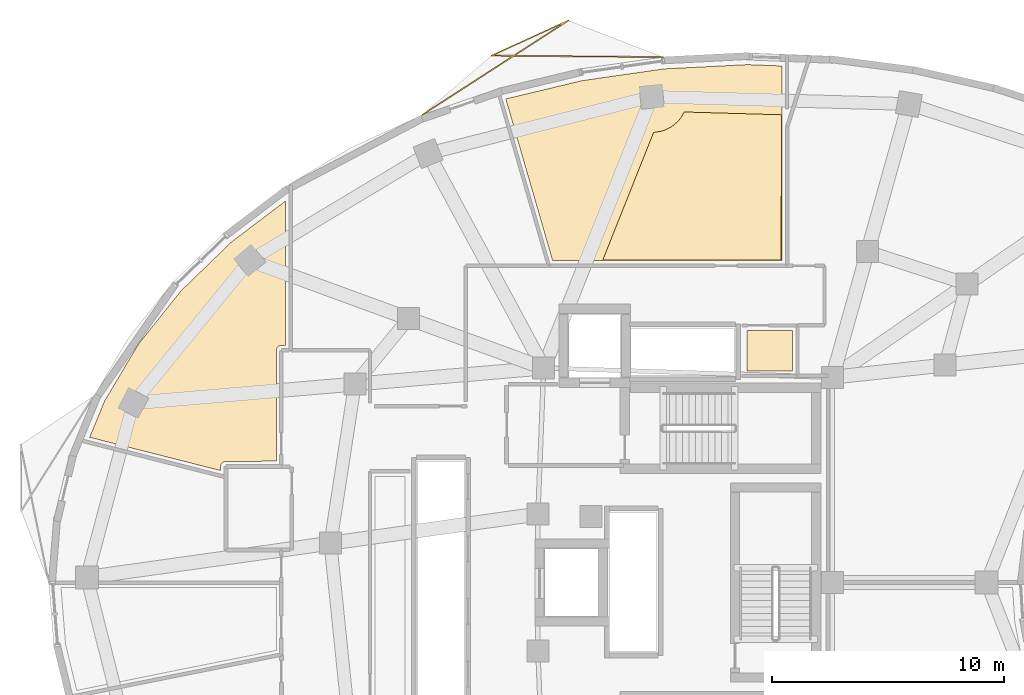
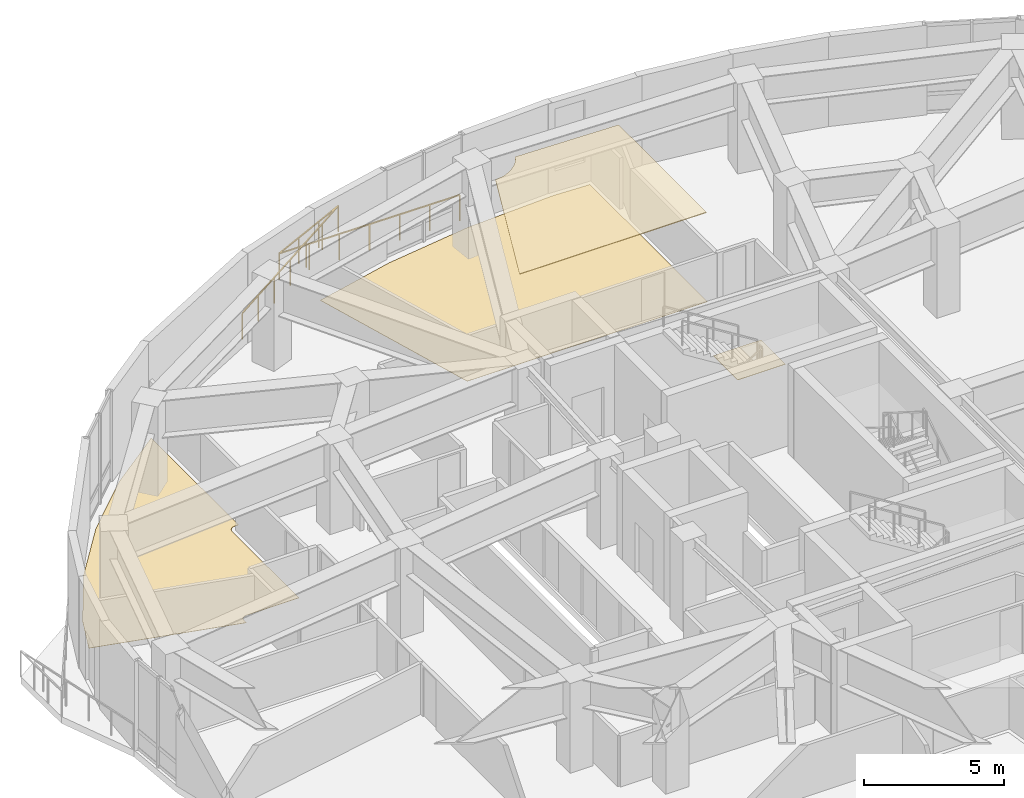
# One storey, part 14 of 14: 4 coverings, 1 railing.
"""IFC4 building model written with IfcOpenShell, lengths in metres."""

import ifcopenshell
import ifcopenshell.guid

model = None  # the IFC model being written
_history = None  # IfcOwnerHistory: only IFC2X3 demands one
_inside = {}  # id of a spatial element -> (the spatial element, [elements in it])
_under = {}  # id of a project, library or spatial element -> (it, [spatial elements below it])
_declared = {}  # id of a project -> (the project, [libraries it declares])
_typed = {}  # id of a type object -> (the type object, [elements of that type])
_made_of = {}  # id of a material, layer set ... -> (it, [elements and type objects made of it])


def new_model(schema):
    """Start an empty IFC model of exactly this schema.

    Asked for "IFC4X3", IfcOpenShell would pick the latest addendum, in which some entities
    have other attributes; the version numbers below select the first issue.
    IFC2X3 requires an IfcOwnerHistory on every rooted entity: one is made here for all.
    """
    global model, _history
    if schema == "IFC4X3":
        model = ifcopenshell.file(schema_version=(4, 3, 0, 0))
    else:
        model = ifcopenshell.file(schema=schema)
    _inside.clear()
    _under.clear()
    _declared.clear()
    _typed.clear()
    _made_of.clear()
    _history = None
    if model.schema == "IFC2X3":
        org = make("IfcOrganization", Name="unknown")
        user = make(
            "IfcPersonAndOrganization",
            ThePerson=make("IfcPerson", FamilyName="unknown"),
            TheOrganization=org,
        )
        app = make(
            "IfcApplication",
            ApplicationDeveloper=org,
            Version="unknown",
            ApplicationFullName="unknown",
            ApplicationIdentifier="unknown",
        )
        _history = make(
            "IfcOwnerHistory",
            OwningUser=user,
            OwningApplication=app,
            ChangeAction="ADDED",
            CreationDate=0,
        )
    return model


def make(cls, **values):
    """One entity of the class cls with the attributes given. An attribute that is None is left unset."""
    return model.create_entity(
        cls, **{name: value for name, value in values.items() if value is not None}
    )


def rooted(cls, **values):
    """An entity with a GlobalId (a new one), such as an element, a storey or a relation."""
    return make(cls, GlobalId=ifcopenshell.guid.new(), OwnerHistory=_history, **values)


def si_unit(unit_type, name, prefix=None):
    """IfcSIUnit, for example si_unit("LENGTHUNIT", "METRE", prefix="MILLI")."""
    return make("IfcSIUnit", UnitType=unit_type, Prefix=prefix, Name=name)


def assignment(units):
    """IfcUnitAssignment: the units of a project."""
    return None if units is None else make("IfcUnitAssignment", Units=units)


def point(xyz):
    """IfcCartesianPoint."""
    return None if xyz is None else make("IfcCartesianPoint", Coordinates=xyz)


def direction(xyz):
    """IfcDirection."""
    return None if xyz is None else make("IfcDirection", DirectionRatios=xyz)


def frame(location, z_axis=None, x_axis=None):
    """IfcAxis2Placement3D, a coordinate frame: its origin and axes. An axis left out is left unset."""
    return make(
        "IfcAxis2Placement3D",
        Location=point(location),
        Axis=direction(z_axis),
        RefDirection=direction(x_axis),
    )


def frame_2d(location, x_axis=None):
    """IfcAxis2Placement2D, a coordinate frame in the plane: its origin and x axis."""
    return make(
        "IfcAxis2Placement2D", Location=point(location), RefDirection=direction(x_axis)
    )


def origin():
    """The frame at (0, 0, 0) with its axes left unset."""
    return frame((0.0, 0.0, 0.0))


def origin_2d():
    """The frame at (0, 0) in the plane with its x axis left unset."""
    return frame_2d((0.0, 0.0))


def place(relative_to, where):
    """IfcLocalPlacement: puts the frame where relative to a parent placement (None: the world)."""
    return make(
        "IfcLocalPlacement", PlacementRelTo=relative_to, RelativePlacement=where
    )


def context(
    kind, dimensions, precision=None, world=None, true_north=None, identifier=None
):
    """IfcGeometricRepresentationContext, for example the 3D "Model" context."""
    return make(
        "IfcGeometricRepresentationContext",
        ContextIdentifier=identifier,
        ContextType=kind,
        CoordinateSpaceDimension=dimensions,
        Precision=precision,
        WorldCoordinateSystem=world,
        TrueNorth=true_north,
    )


def subcontext(parent, identifier, kind, view, scale=None):
    """IfcGeometricRepresentationSubContext, for example "Body" below "Model"."""
    return make(
        "IfcGeometricRepresentationSubContext",
        ContextIdentifier=identifier,
        ContextType=kind,
        ParentContext=parent,
        TargetScale=scale,
        TargetView=view,
    )


def project(units=None, contexts=None):
    """IfcProject with its units and contexts."""
    return rooted(
        "IfcProject",
        Name="project",
        RepresentationContexts=contexts,
        UnitsInContext=assignment(units),
    )


def spatial(cls, under=None, at=None, **own):
    """A site, building, storey or space (cls), placed at a placement, below another one or the project."""
    s = rooted(cls, ObjectPlacement=at, **own)
    if under is not None:
        _under.setdefault(under.id(), (under, []))[1].append(s)
    return s


def polyline(points):
    """IfcPolyline through the points."""
    return make("IfcPolyline", Points=[point(p) for p in points])


def profile(cls, at=None, kind="AREA", **sizes):
    """A parametric profile (cls). Its sizes go by their IFC names, for example OverallWidth=200.0."""
    return make(cls, ProfileType=kind, Position=at, **sizes)


def rectangle(**sizes):
    """IfcRectangleProfileDef."""
    return profile("IfcRectangleProfileDef", **sizes)


def outline(outer, holes=None, kind="AREA"):
    """IfcArbitraryClosedProfileDef: a profile drawn as a closed curve; with holes, ...WithVoids."""
    if holes is None:
        return make("IfcArbitraryClosedProfileDef", ProfileType=kind, OuterCurve=outer)
    return make(
        "IfcArbitraryProfileDefWithVoids",
        ProfileType=kind,
        OuterCurve=outer,
        InnerCurves=holes,
    )


def extrude(swept, where, along, depth):
    """IfcExtrudedAreaSolid: the profile swept, set in the frame where, extruded along a direction by depth."""
    return make(
        "IfcExtrudedAreaSolid",
        SweptArea=swept,
        Position=where,
        ExtrudedDirection=direction(along),
        Depth=depth,
    )


def shape(context_of_items, identifier, shape_type, items):
    """IfcShapeRepresentation: the items that make up one representation, for example the "Body"."""
    return make(
        "IfcShapeRepresentation",
        ContextOfItems=context_of_items,
        RepresentationIdentifier=identifier,
        RepresentationType=shape_type,
        Items=items,
    )


def material(Name=None, Category=None):
    """IfcMaterial."""
    return make("IfcMaterial", Name=Name, Category=Category)


def layer(
    of_material, thickness, ventilated=None, Name=None, Category=None, Priority=None
):
    """IfcMaterialLayer: one layer of a wall or slab, of a material (None: an air gap)."""
    return make(
        "IfcMaterialLayer",
        Material=of_material,
        LayerThickness=thickness,
        IsVentilated=ventilated,
        Name=Name,
        Category=Category,
        Priority=Priority,
    )


def layer_set(layers, Name=None):
    """IfcMaterialLayerSet."""
    return make("IfcMaterialLayerSet", MaterialLayers=layers, LayerSetName=Name)


def made_of(thing, what):
    """Note that an element or type object is made of a material, layer set ...; save() writes the relation."""
    if what is not None:
        _made_of.setdefault(what.id(), (what, []))[1].append(thing)
    return thing


def type_object(cls, material=None, **own):
    """A type object (cls), such as IfcWallType, which elements share."""
    return made_of(rooted(cls, **own), material)


def element(
    cls,
    number,
    at=None,
    inside=None,
    cuts=None,
    type_object=None,
    material=None,
    context=None,
    identifier="Body",
    shape_type=None,
    held_by="IfcProductDefinitionShape",
    body=None,
    shapes=None,
    **own,
):
    """One element of the class cls, such as IfcWall. Its Tag is "e" and its number.

    at: its placement. inside: the storey or other place that contains it. cuts: it is an
    opening in that element (IfcRelVoidsElement). A single representation is given by context,
    identifier, shape_type and body (its items); several are given by shapes. held_by: the class
    of the entity that holds the representations. save() writes the other relations.
    """
    e = rooted(cls, Tag="e%d" % number, ObjectPlacement=at, **own)
    if body is not None:
        shapes = [shape(context, identifier, shape_type, body)]
    if shapes is not None:
        e.Representation = make(held_by, Representations=shapes)
    if inside is not None:
        _inside.setdefault(inside.id(), (inside, []))[1].append(e)
    if cuts is not None:
        rooted(
            "IfcRelVoidsElement", RelatingBuildingElement=cuts, RelatedOpeningElement=e
        )
    if type_object is not None:
        _typed.setdefault(type_object.id(), (type_object, []))[1].append(e)
    return made_of(e, material)


def aggregate(whole, parts):
    """IfcRelAggregates: a whole, such as a stair, and the parts it consists of."""
    return rooted("IfcRelAggregates", RelatingObject=whole, RelatedObjects=parts)


def save(model, path):
    """Write the relations noted so far, then the file.

    IfcRelAggregates (storeys below a building ...), IfcRelContainedInSpatialStructure (elements
    in a storey), IfcRelDefinesByType, IfcRelAssociatesMaterial and IfcRelDeclares: one each for
    every whole, place, type object, material and project.
    """
    for whole, parts in _under.values():
        aggregate(whole, parts)
    for where, things in _inside.values():
        rooted(
            "IfcRelContainedInSpatialStructure",
            RelatedElements=things,
            RelatingStructure=where,
        )
    for kind, things in _typed.values():
        rooted("IfcRelDefinesByType", RelatedObjects=things, RelatingType=kind)
    for what, things in _made_of.values():
        rooted("IfcRelAssociatesMaterial", RelatedObjects=things, RelatingMaterial=what)
    for by, libraries in _declared.values():
        rooted("IfcRelDeclares", RelatingContext=by, RelatedDefinitions=libraries)
    model.write(path)


model = new_model("IFC4")

# Units and contexts
model_context = context("Model", 3, precision=1e-05, world=origin(), true_north=direction((0.0, 1.0)))
body_context = subcontext(model_context, "Body", "Model", "MODEL_VIEW")
ifc_project = project(units=[si_unit("LENGTHUNIT", "METRE"), si_unit("AREAUNIT", "SQUARE_METRE"), si_unit("VOLUMEUNIT", "CUBIC_METRE"), si_unit("PLANEANGLEUNIT", "RADIAN"), si_unit("MASSUNIT", "GRAM", prefix="KILO")], contexts=[model_context])

# Site, building, storey
site_placement = place(None, origin())
site = spatial("IfcSite", under=ifc_project, at=site_placement, CompositionType="ELEMENT")
building_placement = place(site_placement, origin())
building = spatial("IfcBuilding", under=site, at=building_placement, Name="Korentha Bioscience Tower", CompositionType="ELEMENT")
storey_placement = place(building_placement, frame((0.0, 0.0, 239.39990234375)))
storey = spatial("IfcBuildingStorey", under=building, at=storey_placement, Name="L55", CompositionType="ELEMENT", Elevation=239.39990234375)

# Covering
ifc_material_1 = material(Name="Vitrified Porcelain Tile", Category="ceramic")
ifc_layer_1 = layer(ifc_material_1, 0.014892578125, Name="Vitrified Porcelain Tile")
ifc_layer_set_1 = layer_set([ifc_layer_1], Name="Vitrified Porcelain Tile (FL-CER)")
covering_type_1 = type_object("IfcCoveringType", Name="Anti-Slip Ceramic Wet-Room Tile Flooring 15", PredefinedType="FLOORING", material=ifc_layer_set_1)
covering_1_placement = place(storey_placement, origin())
element("IfcCovering", 1, at=covering_1_placement, inside=storey, type_object=covering_type_1, Name="L55 Accessible Staff WC Floor Finish", PredefinedType="FLOORING", context=body_context, shape_type="SweptSolid", body=[
    extrude(outline(polyline([(33.8701171875, 36.1298828125), (33.8701171875, 37.8701171875), (35.830078125, 37.8701171875), (35.830078125, 36.1298828125), (33.8701171875, 36.1298828125)])), origin(), (0.0, 0.0, 1.0), 0.01513671875),
])

# Railing
ifc_material_2 = material(Name="Laminated Tempered Safety Glass", Category="glass")
railing_type = type_object("IfcRailingType", Name="Laminated Glass Balcony Guardrail 1150", PredefinedType="BALUSTRADE", material=ifc_material_2)
railing_placement = place(storey_placement, frame((30.249755859375, 49.657958984375, 0.0)))
element("IfcRailing", 2, at=railing_placement, inside=storey, type_object=railing_type, Name="L55 Balcony Guardrail 01", PredefinedType="BALUSTRADE", context=body_context, shape_type="SweptSolid", body=[
    extrude(rectangle(XDim=0.048095703125, YDim=0.048095703125, at=origin_2d()), frame((0.0, 0.0, 1.1259765625), z_axis=(-0.999962924787, 0.008610984307, 0.0), x_axis=(-0.008610984307, -0.999962924787, 0.0)), (0.0, 0.0, 1.0), 7.39990234375),
    extrude(rectangle(XDim=0.048095703125, YDim=0.048095703125, at=origin_2d()), frame((-7.399658203125, 0.063720703125, 1.1259765625), z_axis=(0.909596068409, 0.415493673038, 0.0), x_axis=(-0.415493673038, 0.909596068409, 0.0)), (0.0, 0.0, 1.0), 3.64306640625),
    extrude(rectangle(XDim=0.048095703125, YDim=0.048095703125, at=origin_2d()), frame((-4.0859375, 1.577392578125, 1.1259765625), z_axis=(-0.840110829976, -0.542414779811, 0.0), x_axis=(0.542414779811, -0.840110829976, 0.0)), (0.0, 0.0, 1.0), 7.4931640625),
    extrude(rectangle(XDim=0.0419921875, YDim=0.0419921875, at=origin_2d()), origin(), (0.0, 0.0, 1.0), 1.101806640625),
    extrude(rectangle(XDim=0.0419921875, YDim=0.0419921875, at=origin_2d()), frame((-1.2333984375, 0.0107421875, 0.0)), (0.0, 0.0, 1.0), 1.101806640625),
    extrude(rectangle(XDim=0.0419921875, YDim=0.0419921875, at=origin_2d()), frame((-2.466552734375, 0.021240234375, 0.0)), (0.0, 0.0, 1.0), 1.101806640625),
    extrude(rectangle(XDim=0.0419921875, YDim=0.0419921875, at=origin_2d()), frame((-3.69970703125, 0.03173828125, 0.0)), (0.0, 0.0, 1.0), 1.101806640625),
    extrude(rectangle(XDim=0.0419921875, YDim=0.0419921875, at=origin_2d()), frame((-4.93310546875, 0.04248046875, 0.0)), (0.0, 0.0, 1.0), 1.101806640625),
    extrude(rectangle(XDim=0.0419921875, YDim=0.0419921875, at=origin_2d()), frame((-6.16650390625, 0.05322265625, 0.0)), (0.0, 0.0, 1.0), 1.101806640625),
    extrude(rectangle(XDim=0.0419921875, YDim=0.0419921875, at=origin_2d()), frame((-7.399658203125, 0.063720703125, 0.0)), (0.0, 0.0, 1.0), 1.101806640625),
    extrude(rectangle(XDim=0.0419921875, YDim=0.0419921875, at=origin_2d()), frame((-6.295166015625, 0.568359375, 0.0)), (0.0, 0.0, 1.0), 1.101806640625),
    extrude(rectangle(XDim=0.0419921875, YDim=0.0419921875, at=origin_2d()), frame((-5.1904296875, 1.07275390625, 0.0)), (0.0, 0.0, 1.0), 1.101806640625),
    extrude(rectangle(XDim=0.0419921875, YDim=0.0419921875, at=origin_2d()), frame((-4.0859375, 1.577392578125, 0.0)), (0.0, 0.0, 1.0), 1.101806640625),
    extrude(rectangle(XDim=0.0419921875, YDim=0.0419921875, at=origin_2d()), frame((-5.13525390625, 0.89990234375, 0.0)), (0.0, 0.0, 1.0), 1.101806640625),
    extrude(rectangle(XDim=0.0419921875, YDim=0.0419921875, at=origin_2d()), frame((-6.184326171875, 0.22265625, 0.0)), (0.0, 0.0, 1.0), 1.101806640625),
    extrude(rectangle(XDim=0.0419921875, YDim=0.0419921875, at=origin_2d()), frame((-7.2333984375, -0.454833984375, 0.0)), (0.0, 0.0, 1.0), 1.101806640625),
    extrude(rectangle(XDim=0.0419921875, YDim=0.0419921875, at=origin_2d()), frame((-8.28271484375, -1.13232421875, 0.0)), (0.0, 0.0, 1.0), 1.101806640625),
    extrude(rectangle(XDim=0.0419921875, YDim=0.0419921875, at=origin_2d()), frame((-9.33203125, -1.8095703125, 0.0)), (0.0, 0.0, 1.0), 1.101806640625),
    extrude(rectangle(XDim=0.0419921875, YDim=0.0419921875, at=origin_2d()), frame((-10.381103515625, -2.487060546875, 0.0)), (0.0, 0.0, 1.0), 1.101806640625),
])

# Coverings
ifc_material_3 = material(Name="Antimicrobial Mineral Fibre Board", Category="gypsum")
ifc_layer_2 = layer(ifc_material_3, 0.034912109375, Name="Antimicrobial Mineral Fibre Board")
ifc_layer_set_2 = layer_set([ifc_layer_2], Name="Antimicrobial Mineral Fibre Board (CL-MF35)")
covering_type_2 = type_object("IfcCoveringType", Name="Mineral-Fibre Cleanroom Suspended Ceiling 35", PredefinedType="CEILING", material=ifc_layer_set_2)
covering_2_placement = place(storey_placement, frame((0.0, 0.0, 3.864990234375)))
element("IfcCovering", 3, at=covering_2_placement, inside=storey, type_object=covering_type_2, Name="L55 Stem-Cell Differentiation Cleanroom 11 Acoustic Ceiling", PredefinedType="CEILING", context=body_context, shape_type="SweptSolid", body=[
    extrude(outline(polyline([(35.347900390625, 47.170166015625), (35.342041015625, 40.909912109375), (27.64990234375, 40.909912109375), (29.837890625, 46.405029296875), (30.209228515625, 46.468017578125), (30.3525390625, 46.519287109375), (30.620361328125, 46.662353515625), (30.855224609375, 46.855224609375), (30.95751953125, 46.968017578125), (31.048095703125, 47.090087890625), (31.159423828125, 47.29052734375), (35.347900390625, 47.170166015625)])), origin(), (0.0, 0.0, 1.0), 0.03515625),
])
ifc_material_4 = material(Name="Chemical-Resistant Epoxy Resin", Category="polymer")
ifc_layer_3 = layer(ifc_material_4, 0.011962890625, Name="Chemical-Resistant Epoxy Resin")
ifc_layer_set_3 = layer_set([ifc_layer_3], Name="Chemical-Resistant Epoxy Resin (FL-EPX)")
covering_type_3 = type_object("IfcCoveringType", Name="Seamless Epoxy Laboratory Flooring 12", PredefinedType="FLOORING", material=ifc_layer_set_3)
covering_3_placement = place(storey_placement, origin())
element("IfcCovering", 4, at=covering_3_placement, inside=storey, type_object=covering_type_3, Name="L55 Stem-Cell Differentiation Cleanroom 11 Floor Finish", PredefinedType="FLOORING", context=body_context, shape_type="SweptSolid", body=[
    extrude(outline(polyline([(26.760498046875, 48.64306640625), (30.298828125, 49.149658203125), (33.893310546875, 49.33349609375), (35.3779296875, 49.27490234375), (35.3720703125, 40.8798828125), (25.48681640625, 40.8798828125), (23.46484375, 47.853515625), (26.760498046875, 48.64306640625)])), origin(), (0.0, 0.0, 1.0), 0.01220703125),
])
covering_4_placement = place(storey_placement, origin())
element("IfcCovering", 5, at=covering_4_placement, inside=storey, type_object=covering_type_3, Name="L55 Sterile Media Preparation Kitchen 13 Floor Finish", PredefinedType="FLOORING", context=body_context, shape_type="SweptSolid", body=[
    extrude(outline(polyline([(6.168701171875, 34.83349609375), (7.622314453125, 37.277099609375), (9.459228515625, 39.5771484375), (11.65478515625, 41.69970703125), (13.971923828125, 43.456298828125), (13.971923828125, 37.22998046875), (13.7666015625, 37.2275390625), (13.68212890625, 37.197509765625), (13.60302734375, 37.11865234375), (13.5703125, 37.01171875), (13.570068359375, 32.22998046875), (11.36572265625, 32.227294921875), (11.2626953125, 32.184326171875), (11.1923828125, 32.098876953125), (11.17041015625, 32.01171875), (11.169921875, 31.8271484375), (5.520751953125, 33.261474609375), (6.168701171875, 34.83349609375)])), origin(), (0.0, 0.0, 1.0), 0.01220703125),
])

save(model, "model.ifc")
